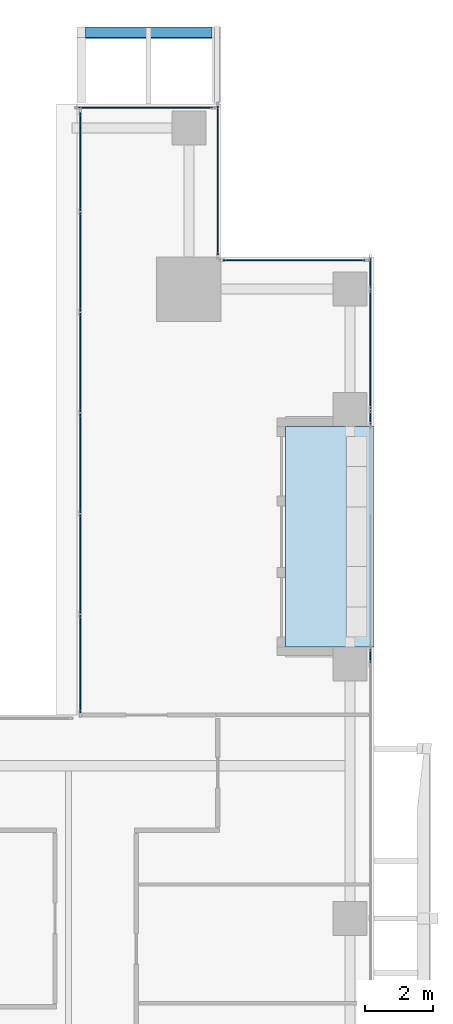
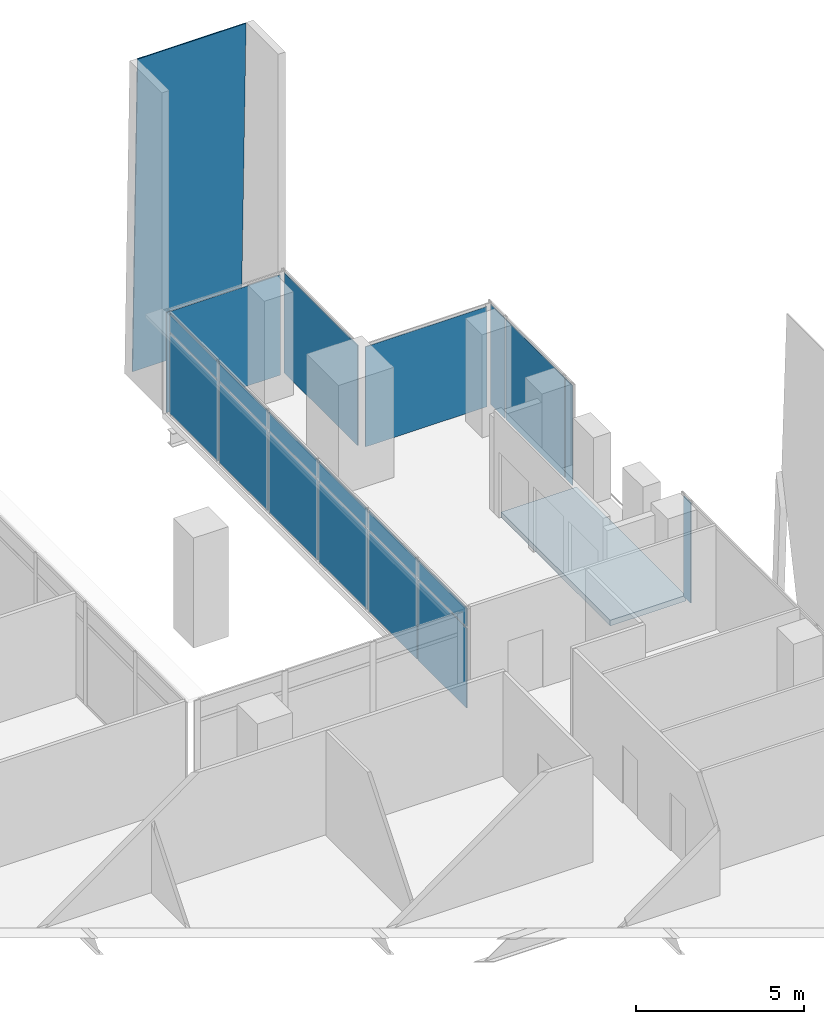
# One storey, part 32 of 40: 20 plates, 1 slab, 6 elements without a shape of their own.
"""IFC4 building model written with IfcOpenShell, lengths in metres."""

from ifc_helpers import new_model, si_unit, direction, frame, origin, origin_2d, place, context, subcontext, project, spatial, polyline, rectangle, outline, extrude, source, transform, mapped, material, layer, layer_set, type_object, element, aggregate, save


model = new_model("IFC4")

# Units and contexts
model_context = context("Model", 3, precision=1e-05, world=origin(), true_north=direction((0.0, 1.0)))
body_context = subcontext(model_context, "Body", "Model", "MODEL_VIEW")
ifc_project = project(units=[si_unit("LENGTHUNIT", "METRE"), si_unit("AREAUNIT", "SQUARE_METRE"), si_unit("VOLUMEUNIT", "CUBIC_METRE"), si_unit("PLANEANGLEUNIT", "RADIAN"), si_unit("MASSUNIT", "GRAM", prefix="KILO")], contexts=[model_context])

# Site, building, storey
site_placement = place(None, origin())
site = spatial("IfcSite", under=ifc_project, at=site_placement, CompositionType="ELEMENT")
building_placement = place(site_placement, origin())
building = spatial("IfcBuilding", under=site, at=building_placement, Name="Khomas Fold Tower", CompositionType="ELEMENT")
storey_placement = place(building_placement, frame((0.0, 0.0, 176.699951171875)))
storey = spatial("IfcBuildingStorey", under=building, at=storey_placement, Name="L38", CompositionType="ELEMENT", Elevation=176.699951171875)

# Plate
ifc_material_1 = material(Name="Clear laminated glass", Category="glass")
ifc_layer_1 = layer(ifc_material_1, 0.0400390625)
ifc_layer_set_1 = layer_set([ifc_layer_1], Name="Clear laminated glass")
plate_type_1 = type_object("IfcPlateType", Name="SK-Clear laminated glass leaf", PredefinedType="SHEET", material=ifc_layer_set_1)
plate_1_placement = place(storey_placement, frame((42.5, 53.270751953125, 0.0009765625), z_axis=(0.0, 0.999657230839, 0.026180543005), x_axis=(1.0, 0.0, 0.0)))
element("IfcPlate", 1, at=plate_1_placement, inside=storey, type_object=plate_type_1, Name="OUTER SKIN glass L38 N12", PredefinedType="SHEET", context=body_context, shape_type="SweptSolid", body=[
    extrude(outline(polyline([(0.0, 0.0), (3.72998046875, 0.0), (3.72998046875, -11.554009186164079), (0.0, -11.554009186164079), (0.0, 0.0)])), origin(), (0.0, 0.0, -1.0), 0.0400390625),
])

# Curtain wall, plate
ifc_material_2 = material(Name="Aluminium framed double glazing", Category="aluminium")
curtain_wall_type_1 = type_object("IfcCurtainWallType", Name="SK-Unitised clear-glass wall, office floors CW2", PredefinedType="NOTDEFINED", material=ifc_material_2)
curtain_wall_1_placement = place(storey_placement, origin())
curtain_wall_1 = element("IfcCurtainWall", 2, at=curtain_wall_1_placement, inside=storey, type_object=curtain_wall_type_1, Name="CW2 corner return L38 10", PredefinedType="NOTDEFINED")
ifc_material_3 = material(Name="Clear double glazed unit")
ifc_layer_2 = layer(ifc_material_3, 0.030029296875)
ifc_layer_set_2 = layer_set([ifc_layer_2], Name="Clear double glazed unit")
plate_type_2 = type_object("IfcPlateType", Name="SK-Unitised clear-glass wall, office floors glass panel CW2-P", PredefinedType="CURTAIN_PANEL", material=ifc_layer_set_2)
shared_shape_1 = source(origin(), body_context, "Body", "SweptSolid", [
    extrude(rectangle(XDim=4.3798828125, YDim=0.030029296875, at=origin_2d()), origin(), (0.0, 0.0, 1.0), 3.639892578125),
])
plate_2_placement = place(storey_placement, frame((46.39990234375, 48.75, 0.0), z_axis=(0.0, 0.0, 1.0), x_axis=(0.0, 1.0, 0.0)))
plate_2 = element("IfcPlate", 3, at=plate_2_placement, type_object=plate_type_2, Name="CW2 glass panel 1", PredefinedType="CURTAIN_PANEL", context=body_context, shape_type="MappedRepresentation", body=[
    mapped(shared_shape_1, transform((0.0, 0.0, 0.0))),
])
aggregate(curtain_wall_1, [plate_2])

curtain_wall_2_placement = place(storey_placement, origin())
curtain_wall_2 = element("IfcCurtainWall", 4, at=curtain_wall_2_placement, inside=storey, type_object=curtain_wall_type_1, Name="CW2 run L38 08-1", PredefinedType="NOTDEFINED")
shared_shape_2 = source(origin(), body_context, "Body", "SweptSolid", [
    extrude(rectangle(XDim=3.489990234375, YDim=0.030029296875, at=origin_2d()), origin(), (0.0, 0.0, 1.0), 3.639892578125),
])
plate_3_placement = place(storey_placement, frame((50.89990234375, 43.77490234375, 0.0), z_axis=(0.0, 0.0, 1.0), x_axis=(0.0, 1.0, 0.0)))
plate_3 = element("IfcPlate", 5, at=plate_3_placement, type_object=plate_type_2, Name="CW2 glass panel 2", PredefinedType="CURTAIN_PANEL", context=body_context, shape_type="MappedRepresentation", body=[
    mapped(shared_shape_2, transform((0.0, 0.0, 0.0))),
])

curtain_wall_3_placement = place(storey_placement, origin())
curtain_wall_3 = element("IfcCurtainWall", 6, at=curtain_wall_3_placement, inside=storey, type_object=curtain_wall_type_1, Name="CW2 corner return L38 09", PredefinedType="NOTDEFINED")
shared_shape_3 = source(origin(), body_context, "Body", "SweptSolid", [
    extrude(rectangle(XDim=4.179931640625, YDim=0.030029296875, at=origin_2d()), origin(), (0.0, 0.0, 1.0), 3.639892578125),
])
plate_4_placement = place(storey_placement, frame((48.64990234375, 46.39990234375, 0.0), z_axis=(0.0, 0.0, 1.0), x_axis=(-1.0, 0.0, 0.0)))
plate_4 = element("IfcPlate", 7, at=plate_4_placement, type_object=plate_type_2, Name="CW2 glass panel 1", PredefinedType="CURTAIN_PANEL", context=body_context, shape_type="MappedRepresentation", body=[
    mapped(shared_shape_3, transform((0.0, 0.0, 0.0))),
])
aggregate(curtain_wall_3, [plate_4])

curtain_wall_4_placement = place(storey_placement, origin())
curtain_wall_4 = element("IfcCurtainWall", 8, at=curtain_wall_4_placement, inside=storey, type_object=curtain_wall_type_1, Name="CW2 run L38 08-0", PredefinedType="NOTDEFINED")
shared_shape_4 = source(origin(), body_context, "Body", "SweptSolid", [
    extrude(rectangle(XDim=0.409912109375, YDim=0.030029296875, at=origin_2d()), origin(), (0.0, 0.0, 1.0), 3.639892578125),
])
plate_5_placement = place(storey_placement, frame((50.89990234375, 34.735107421875, 0.0), z_axis=(0.0, 0.0, 1.0), x_axis=(0.0, 1.0, 0.0)))
plate_5 = element("IfcPlate", 9, at=plate_5_placement, type_object=plate_type_2, Name="CW2 glass panel 6", PredefinedType="CURTAIN_PANEL", context=body_context, shape_type="MappedRepresentation", body=[
    mapped(shared_shape_4, transform((0.0, 0.0, 0.0))),
])
aggregate(curtain_wall_4, [plate_5])

# Plate
plate_6_placement = place(storey_placement, frame((50.89990234375, 41.764892578125, 0.0), z_axis=(0.0, 0.0, 1.0), x_axis=(0.0, 1.0, 0.0)))
plate_6 = element("IfcPlate", 10, at=plate_6_placement, type_object=plate_type_2, Name="CW2 glass panel 1", PredefinedType="CURTAIN_PANEL", context=body_context, shape_type="MappedRepresentation", body=[
    mapped(shared_shape_4, transform((0.0, 0.0, 0.0))),
])

shared_shape_5 = source(origin(), body_context, "Body", "SweptSolid", [
    extrude(rectangle(XDim=0.860107421875, YDim=0.030029296875, at=origin_2d()), origin(), (0.0, 0.0, 1.0), 3.639892578125),
])
plate_7_placement = place(storey_placement, frame((50.89990234375, 46.010009765625, 0.0), z_axis=(0.0, 0.0, 1.0), x_axis=(0.0, 1.0, 0.0)))
plate_7 = element("IfcPlate", 11, at=plate_7_placement, type_object=plate_type_2, Name="CW2 glass panel 3", PredefinedType="CURTAIN_PANEL", context=body_context, shape_type="MappedRepresentation", body=[
    mapped(shared_shape_5, transform((0.0, 0.0, 0.0))),
])

aggregate(curtain_wall_2, [plate_6, plate_3, plate_7])

# Curtain wall, plate
curtain_wall_5_placement = place(storey_placement, origin())
curtain_wall_5 = element("IfcCurtainWall", 12, at=curtain_wall_5_placement, inside=storey, type_object=curtain_wall_type_1, Name="CW2 corner return L38 11", PredefinedType="NOTDEFINED")
shared_shape_6 = source(origin(), body_context, "Body", "SweptSolid", [
    extrude(rectangle(XDim=3.929931640625, YDim=0.030029296875, at=origin_2d()), origin(), (0.0, 0.0, 1.0), 3.639892578125),
])
plate_8_placement = place(storey_placement, frame((44.27490234375, 50.89990234375, 0.0), z_axis=(0.0, 0.0, 1.0), x_axis=(-1.0, 0.0, 0.0)))
plate_8 = element("IfcPlate", 13, at=plate_8_placement, type_object=plate_type_2, Name="CW2 glass panel 1", PredefinedType="CURTAIN_PANEL", context=body_context, shape_type="MappedRepresentation", body=[
    mapped(shared_shape_6, transform((0.0, 0.0, 0.0))),
])
aggregate(curtain_wall_5, [plate_8])

# Slab
ifc_material_4 = material(Name="Concrete C40/50", Category="concrete")
ifc_layer_3 = layer(ifc_material_4, 0.205078125)
ifc_layer_set_3 = layer_set([ifc_layer_3], Name="Concrete C40/50")
slab_type = type_object("IfcSlabType", Name="BL-Balcony deck 205", PredefinedType="FLOOR", material=ifc_layer_set_3)
shared_shape_7 = source(origin(), body_context, "Body", "SweptSolid", [
    extrude(outline(polyline([(48.39990234375, 35.0), (51.0, 35.0), (51.0, 41.5), (48.39990234375, 41.5), (48.39990234375, 35.0)])), origin(), (0.0, 0.0, 1.0), 0.205078125),
])
slab_placement = place(storey_placement, frame((0.0, 0.0, -0.25)))
element("IfcSlab", 14, at=slab_placement, inside=storey, type_object=slab_type, Name="Balcony deck BAL-L38-E4", PredefinedType="FLOOR", context=body_context, shape_type="MappedRepresentation", body=[
    mapped(shared_shape_7, transform((0.0, 0.0, 0.0))),
])

# Curtain wall, plates
ifc_material_5 = material(Name="Aluminium framed double glazing", Category="aluminium")
curtain_wall_type_2 = type_object("IfcCurtainWallType", Name="Notch glazing GN-CW", PredefinedType="NOTDEFINED", material=ifc_material_5)
curtain_wall_6_placement = place(storey_placement, origin())
curtain_wall_6 = element("IfcCurtainWall", 15, at=curtain_wall_6_placement, inside=storey, type_object=curtain_wall_type_2, Name="Notch glazing run", PredefinedType="NOTDEFINED")
ifc_material_6 = material(Name="Double glazed unit")
ifc_layer_4 = layer(ifc_material_6, 0.031982421875)
ifc_layer_set_4 = layer_set([ifc_layer_4], Name="Double glazed unit")
plate_type_3 = type_object("IfcPlateType", Name="Notch glazing panel GN-CW-P", PredefinedType="CURTAIN_PANEL", material=ifc_layer_set_4)
shared_shape_8 = source(origin(), body_context, "Body", "SweptSolid", [
    extrude(rectangle(XDim=2.876708984375, YDim=0.031982421875, at=origin_2d()), origin(), (0.0, 0.0, 1.0), 2.909912109375),
])
plate_9_placement = place(storey_placement, frame((42.35009765625, 49.3017578125, 0.06005859375), z_axis=(0.0, 0.0, 1.0), x_axis=(0.0, -1.0, 0.0)))
plate_9 = element("IfcPlate", 16, at=plate_9_placement, type_object=plate_type_3, Name="GN-CW panel 1.1", PredefinedType="CURTAIN_PANEL", context=body_context, shape_type="MappedRepresentation", body=[
    mapped(shared_shape_8, transform((0.0, 0.0, 0.0))),
])
plate_10_placement = place(storey_placement, frame((42.35009765625, 34.498291015625, 0.06005859375), z_axis=(0.0, 0.0, 1.0), x_axis=(0.0, -1.0, 0.0)))
plate_10 = element("IfcPlate", 17, at=plate_10_placement, type_object=plate_type_3, Name="GN-CW panel 6.1", PredefinedType="CURTAIN_PANEL", context=body_context, shape_type="MappedRepresentation", body=[
    mapped(shared_shape_8, transform((0.0, 0.0, 0.0))),
])
shared_shape_9 = source(origin(), body_context, "Body", "SweptSolid", [
    extrude(rectangle(XDim=2.90673828125, YDim=0.031982421875, at=origin_2d()), origin(), (0.0, 0.0, 1.0), 2.909912109375),
])
plate_11_placement = place(storey_placement, frame((42.35009765625, 46.35009765625, 0.06005859375), z_axis=(0.0, 0.0, 1.0), x_axis=(0.0, -1.0, 0.0)))
plate_11 = element("IfcPlate", 18, at=plate_11_placement, type_object=plate_type_3, Name="GN-CW panel 2.1", PredefinedType="CURTAIN_PANEL", context=body_context, shape_type="MappedRepresentation", body=[
    mapped(shared_shape_9, transform((0.0, 0.0, 0.0))),
])
plate_12_placement = place(storey_placement, frame((42.35009765625, 43.38330078125, 0.06005859375), z_axis=(0.0, 0.0, 1.0), x_axis=(0.0, -1.0, 0.0)))
plate_12 = element("IfcPlate", 19, at=plate_12_placement, type_object=plate_type_3, Name="GN-CW panel 3.1", PredefinedType="CURTAIN_PANEL", context=body_context, shape_type="MappedRepresentation", body=[
    mapped(shared_shape_9, transform((0.0, 0.0, 0.0))),
])
plate_13_placement = place(storey_placement, frame((42.35009765625, 40.416748046875, 0.06005859375), z_axis=(0.0, 0.0, 1.0), x_axis=(0.0, -1.0, 0.0)))
plate_13 = element("IfcPlate", 20, at=plate_13_placement, type_object=plate_type_3, Name="GN-CW panel 4.1", PredefinedType="CURTAIN_PANEL", context=body_context, shape_type="MappedRepresentation", body=[
    mapped(shared_shape_9, transform((0.0, 0.0, 0.0))),
])
plate_14_placement = place(storey_placement, frame((42.35009765625, 37.449951171875, 0.06005859375), z_axis=(0.0, 0.0, 1.0), x_axis=(0.0, -1.0, 0.0)))
plate_14 = element("IfcPlate", 21, at=plate_14_placement, type_object=plate_type_3, Name="GN-CW panel 5.1", PredefinedType="CURTAIN_PANEL", context=body_context, shape_type="MappedRepresentation", body=[
    mapped(shared_shape_9, transform((0.0, 0.0, 0.0))),
])
shared_shape_10 = source(origin(), body_context, "Body", "SweptSolid", [
    extrude(rectangle(XDim=2.876708984375, YDim=0.031982421875, at=origin_2d()), origin(), (0.0, 0.0, 1.0), 0.659912109375),
])
plate_15_placement = place(storey_placement, frame((42.35009765625, 49.3017578125, 3.0302734375), z_axis=(0.0, 0.0, 1.0), x_axis=(0.0, -1.0, 0.0)))
plate_15 = element("IfcPlate", 22, at=plate_15_placement, type_object=plate_type_3, Name="GN-CW panel 1.2", PredefinedType="CURTAIN_PANEL", context=body_context, shape_type="MappedRepresentation", body=[
    mapped(shared_shape_10, transform((0.0, 0.0, 0.0))),
])
plate_16_placement = place(storey_placement, frame((42.35009765625, 34.498291015625, 3.0302734375), z_axis=(0.0, 0.0, 1.0), x_axis=(0.0, -1.0, 0.0)))
plate_16 = element("IfcPlate", 23, at=plate_16_placement, type_object=plate_type_3, Name="GN-CW panel 6.2", PredefinedType="CURTAIN_PANEL", context=body_context, shape_type="MappedRepresentation", body=[
    mapped(shared_shape_10, transform((0.0, 0.0, 0.0))),
])
shared_shape_11 = source(origin(), body_context, "Body", "SweptSolid", [
    extrude(rectangle(XDim=2.90673828125, YDim=0.031982421875, at=origin_2d()), origin(), (0.0, 0.0, 1.0), 0.659912109375),
])
plate_17_placement = place(storey_placement, frame((42.35009765625, 46.35009765625, 3.0302734375), z_axis=(0.0, 0.0, 1.0), x_axis=(0.0, -1.0, 0.0)))
plate_17 = element("IfcPlate", 24, at=plate_17_placement, type_object=plate_type_3, Name="GN-CW panel 2.2", PredefinedType="CURTAIN_PANEL", context=body_context, shape_type="MappedRepresentation", body=[
    mapped(shared_shape_11, transform((0.0, 0.0, 0.0))),
])
plate_18_placement = place(storey_placement, frame((42.35009765625, 43.38330078125, 3.0302734375), z_axis=(0.0, 0.0, 1.0), x_axis=(0.0, -1.0, 0.0)))
plate_18 = element("IfcPlate", 25, at=plate_18_placement, type_object=plate_type_3, Name="GN-CW panel 3.2", PredefinedType="CURTAIN_PANEL", context=body_context, shape_type="MappedRepresentation", body=[
    mapped(shared_shape_11, transform((0.0, 0.0, 0.0))),
])
plate_19_placement = place(storey_placement, frame((42.35009765625, 40.416748046875, 3.0302734375), z_axis=(0.0, 0.0, 1.0), x_axis=(0.0, -1.0, 0.0)))
plate_19 = element("IfcPlate", 26, at=plate_19_placement, type_object=plate_type_3, Name="GN-CW panel 4.2", PredefinedType="CURTAIN_PANEL", context=body_context, shape_type="MappedRepresentation", body=[
    mapped(shared_shape_11, transform((0.0, 0.0, 0.0))),
])
plate_20_placement = place(storey_placement, frame((42.35009765625, 37.449951171875, 3.0302734375), z_axis=(0.0, 0.0, 1.0), x_axis=(0.0, -1.0, 0.0)))
plate_20 = element("IfcPlate", 27, at=plate_20_placement, type_object=plate_type_3, Name="GN-CW panel 5.2", PredefinedType="CURTAIN_PANEL", context=body_context, shape_type="MappedRepresentation", body=[
    mapped(shared_shape_11, transform((0.0, 0.0, 0.0))),
])
aggregate(curtain_wall_6, [plate_9, plate_15, plate_11, plate_17, plate_12, plate_18, plate_13, plate_19, plate_14, plate_20, plate_10, plate_16])

save(model, "model.ifc")
